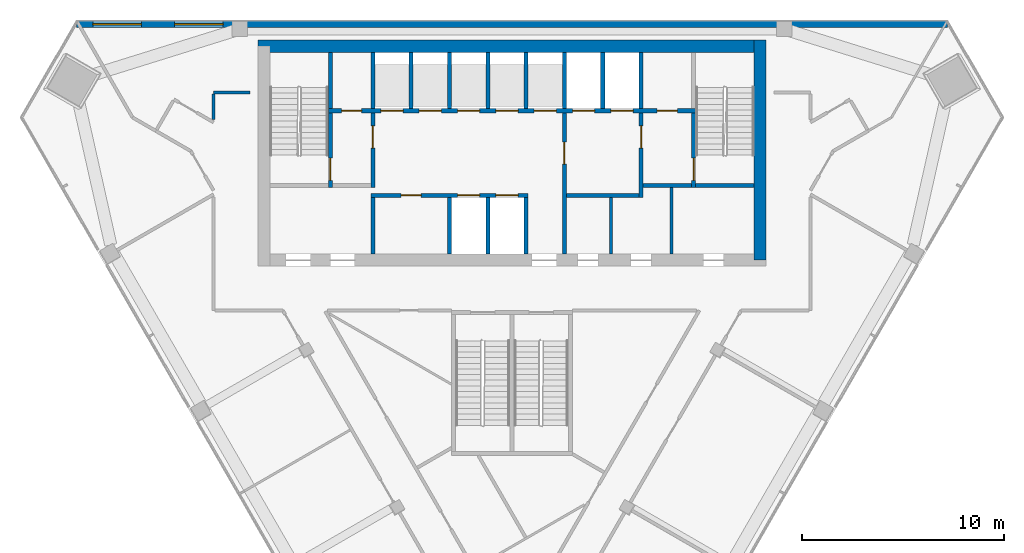
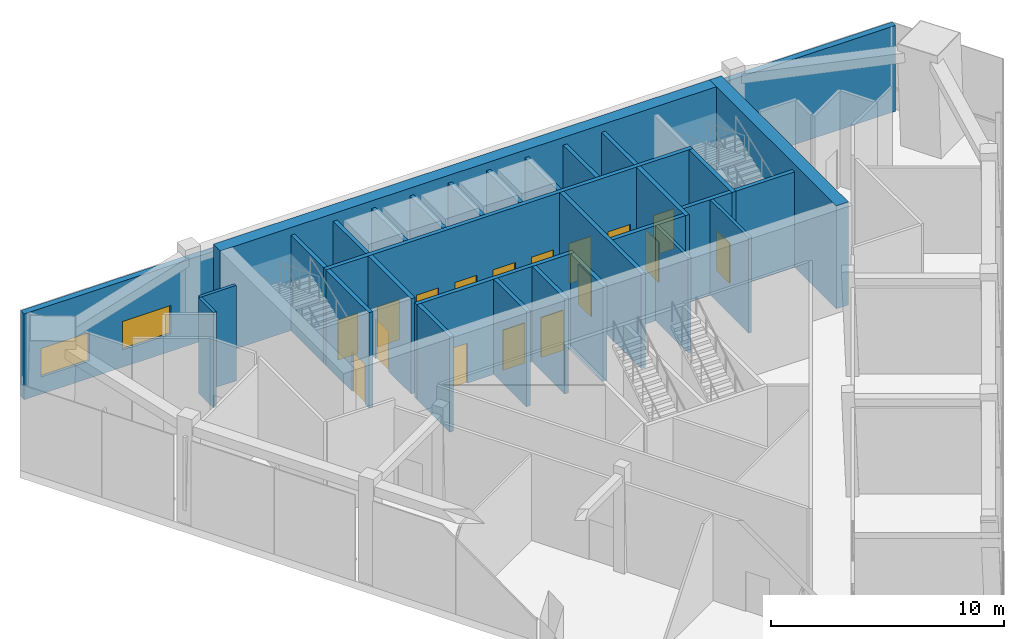
# One storey, part 7 of 10: 30 walls, 17 doors, 2 windows, 19 openings.
"""IFC4 building model written with IfcOpenShell, lengths in metres."""

from ifc_helpers import new_model, si_unit, direction, frame, frame_2d, origin, place, context, subcontext, project, spatial, rectangle, extrude, material, layer, layer_set, type_object, element, fill, save


model = new_model("IFC4")

# Units and contexts
model_context = context("Model", 3, precision=1e-05, world=origin(), true_north=direction((0.0, 1.0)))
body_context = subcontext(model_context, "Body", "Model", "MODEL_VIEW")
ifc_project = project(units=[si_unit("LENGTHUNIT", "METRE"), si_unit("AREAUNIT", "SQUARE_METRE"), si_unit("VOLUMEUNIT", "CUBIC_METRE"), si_unit("PLANEANGLEUNIT", "RADIAN"), si_unit("MASSUNIT", "GRAM", prefix="KILO")], contexts=[model_context])

# Site, building, storey
site_placement = place(None, origin())
site = spatial("IfcSite", under=ifc_project, at=site_placement, CompositionType="ELEMENT")
building_placement = place(site_placement, origin())
building = spatial("IfcBuilding", under=site, at=building_placement, Name="Altiplano Prism Tower", CompositionType="ELEMENT")
storey_placement = place(building_placement, frame((0.0, 0.0, 233.800048828125)))
storey = spatial("IfcBuildingStorey", under=building, at=storey_placement, Name="L60", CompositionType="ELEMENT", Elevation=233.800048828125)

# Walls
ifc_material_1 = material(Name="Concrete C60/75", Category="concrete")
ifc_layer_1 = layer(ifc_material_1, 0.60009765625)
ifc_layer_set_1 = layer_set([ifc_layer_1], Name="Concrete C60/75")
wall_type_1 = type_object("IfcWallType", Name="Core wall 600", PredefinedType="SHEAR", material=ifc_layer_set_1)
wall_1_placement = place(storey_placement, frame((97.300048828125, 93.10009765625, 0.0), z_axis=(0.0, 0.0, 1.0), x_axis=(0.0, 1.0, 0.0)))
element("IfcWall", 1, at=wall_1_placement, inside=storey, type_object=wall_type_1, Name="Core wall E L60", PredefinedType="SHEAR", context=body_context, shape_type="SweptSolid", body=[
    extrude(rectangle(XDim=10.89990234375, YDim=0.60009765625, at=frame_2d((5.449951171875, 0.0))), origin(), (0.0, 0.0, 1.0), 5.39990234375),
])
wall_2_placement = place(storey_placement, frame((97.300048828125, 103.699951171875, 0.0), z_axis=(0.0, 0.0, 1.0), x_axis=(-1.0, 0.0, 0.0)))
element("IfcWall", 2, at=wall_2_placement, inside=storey, type_object=wall_type_1, Name="Core wall N L60", PredefinedType="SHEAR", context=body_context, shape_type="SweptSolid", body=[
    extrude(rectangle(XDim=24.900146484375, YDim=0.60009765625, at=frame_2d((12.4501953125, 0.0))), origin(), (0.0, 0.0, 1.0), 5.39990234375),
])
ifc_material_2 = material(Name="Plasterboard on steel stud", Category="steel")
ifc_layer_2 = layer(ifc_material_2, 0.14990234375)
ifc_layer_set_2 = layer_set([ifc_layer_2], Name="Plasterboard on steel stud")
wall_type_2 = type_object("IfcWallType", Name="Partition 150 corridor", PredefinedType="PARTITIONING", material=ifc_layer_set_2)
wall_3_placement = place(storey_placement, frame((72.0, 101.39990234375, 0.0), z_axis=(0.0, 0.0, 1.0), x_axis=(-1.0, 0.0, 0.0)))
element("IfcWall", 3, at=wall_3_placement, inside=storey, type_object=wall_type_2, Name="Partition P06 L60 012", PredefinedType="PARTITIONING", context=body_context, shape_type="SweptSolid", body=[
    extrude(rectangle(XDim=1.800048828125, YDim=0.14990234375, at=frame_2d((0.89990234375, 0.0))), origin(), (0.0, 0.0, 1.0), 5.0),
])
wall_4_placement = place(storey_placement, frame((70.199951171875, 101.324951171875, 0.0), z_axis=(0.0, 0.0, 1.0), x_axis=(0.0, -1.0, 0.0)))
element("IfcWall", 4, at=wall_4_placement, inside=storey, type_object=wall_type_2, Name="Partition P06 L60 013", PredefinedType="PARTITIONING", context=body_context, shape_type="SweptSolid", body=[
    extrude(rectangle(XDim=1.26611328125, YDim=0.14990234375, at=frame_2d((0.633056640625, 0.0))), origin(), (0.0, 0.0, 1.0), 5.0),
])
ifc_material_3 = material(Name="Fire-rated gypsum board partition")
ifc_layer_3 = layer(ifc_material_3, 0.14990234375)
ifc_layer_set_3 = layer_set([ifc_layer_3], Name="Fire-rated gypsum board partition")
wall_type_3 = type_object("IfcWallType", Name="Room partition 150", PredefinedType="PARTITIONING", material=ifc_layer_set_3)
wall_5_placement = place(storey_placement, frame((89.89990234375, 93.39990234375, 0.0), z_axis=(0.0, 0.0, 1.0), x_axis=(0.0, 1.0, 0.0)))
element("IfcWall", 5, at=wall_5_placement, inside=storey, type_object=wall_type_3, Name="Room partition L60", PredefinedType="PARTITIONING", context=body_context, shape_type="SweptSolid", body=[
    extrude(rectangle(XDim=2.800048828125, YDim=0.14990234375, at=frame_2d((1.39990234375, 0.0))), origin(), (0.0, 0.0, 1.0), 5.0),
])
wall_6_placement = place(storey_placement, frame((92.89990234375, 93.39990234375, 0.0), z_axis=(0.0, 0.0, 1.0), x_axis=(0.0, 1.0, 0.0)))
element("IfcWall", 6, at=wall_6_placement, inside=storey, type_object=wall_type_3, Name="Room partition L60", PredefinedType="PARTITIONING", context=body_context, shape_type="SweptSolid", body=[
    extrude(rectangle(XDim=3.300048828125, YDim=0.14990234375, at=frame_2d((1.64990234375, 0.0))), origin(), (0.0, 0.0, 1.0), 5.0),
])
ifc_layer_4 = layer(ifc_material_1, 0.199951171875)
ifc_layer_set_4 = layer_set([ifc_layer_4], Name="Concrete C60/75")
wall_type_4 = type_object("IfcWallType", Name="Shaft wall 200", PredefinedType="SOLIDWALL", material=ifc_layer_set_4)
for number, where, z_axis, x_axis, name in (
    (7, (81.89990234375, 93.39990234375, 0.0), (0.0, 0.0, 1.0), (0.0, 1.0, 0.0), "Shaft wall L60"),
    (8, (83.800048828125, 93.39990234375, 0.0), (0.0, 0.0, 1.0), (0.0, 1.0, 0.0), "Shaft wall L60"),
    (9, (85.699951171875, 93.39990234375, 0.0), (0.0, 0.0, 1.0), (0.0, 1.0, 0.0), "Shaft wall L60"),
):
    element("IfcWall", number, at=place(storey_placement, frame(where, z_axis=z_axis, x_axis=x_axis)), inside=storey, type_object=wall_type_4, Name=name, PredefinedType="SOLIDWALL", context=body_context, shape_type="SweptSolid", body=[
        extrude(rectangle(XDim=2.800048828125, YDim=0.199951171875, at=frame_2d((1.39990234375, 0.0))), origin(), (0.0, 0.0, 1.0), 5.0),
    ])

# Wall, openings, doors
wall_7_placement = place(storey_placement, frame((78.0, 96.300048828125, 0.0), z_axis=(0.0, 0.0, 1.0), x_axis=(1.0, 0.0, 0.0)))
wall_7 = element("IfcWall", 10, at=wall_7_placement, inside=storey, type_object=wall_type_4, Name="Shaft wall L60", PredefinedType="SOLIDWALL", context=body_context, shape_type="SweptSolid", body=[
    extrude(rectangle(XDim=7.800048828125, YDim=0.199951171875, at=frame_2d((3.89990234375, 0.0))), origin(), (0.0, 0.0, 1.0), 5.0),
])
opening_1_placement = place(wall_7_placement, frame((4.300048828125, 0.0, 0.0)))
opening_1 = element("IfcOpeningElement", 11, at=opening_1_placement, cuts=wall_7, Name="Opening LD-SH3-L60", PredefinedType="OPENING", context=body_context, shape_type="SweptSolid", body=[
    extrude(rectangle(XDim=1.10009765625, YDim=2.10009765625, at=frame_2d((0.550048828125, 1.050048828125))), frame((0.0, 0.1103515625, 0.0), z_axis=(0.0, -1.0, 0.0), x_axis=(1.0, 0.0, 0.0)), (0.0, 0.0, 1.0), 0.220947265625),
])
opening_2_placement = place(wall_7_placement, frame((6.199951171875, 0.0, 0.0)))
opening_2 = element("IfcOpeningElement", 12, at=opening_2_placement, cuts=wall_7, Name="Opening LD-SH4-L60", PredefinedType="OPENING", context=body_context, shape_type="SweptSolid", body=[
    extrude(rectangle(XDim=1.10009765625, YDim=2.10009765625, at=frame_2d((0.550048828125, 1.050048828125))), frame((0.0, 0.1103515625, 0.0), z_axis=(0.0, -1.0, 0.0), x_axis=(1.0, 0.0, 0.0)), (0.0, 0.0, 1.0), 0.220947265625),
])
opening_3_placement = place(wall_7_placement, frame((1.5, 0.0, 0.0)))
opening_3 = element("IfcOpeningElement", 13, at=opening_3_placement, cuts=wall_7, Name="Opening D3427", PredefinedType="OPENING", context=body_context, shape_type="SweptSolid", body=[
    extrude(rectangle(XDim=1.0, YDim=2.10009765625, at=frame_2d((0.5, 1.050048828125))), frame((0.0, 0.1103515625, 0.0), z_axis=(0.0, -1.0, 0.0), x_axis=(1.0, 0.0, 0.0)), (0.0, 0.0, 1.0), 0.220947265625),
])
ifc_material_4 = material(Name="Fire-rated steel door", Category="steel")
door_type_1 = type_object("IfcDoorType", Name="Core room door 1000 x 2100", OperationType="NOTDEFINED", PredefinedType="NOTDEFINED", material=ifc_material_4)
door_1_placement = place(opening_3_placement, origin())
door_1 = element("IfcDoor", 14, at=door_1_placement, inside=storey, type_object=door_type_1, Name="Core room door D3427", OperationType="SINGLE_SWING_RIGHT", OverallHeight=2.10009765625, OverallWidth=1.0, PredefinedType="NOTDEFINED", context=body_context, shape_type="SweptSolid", body=[
    extrude(rectangle(XDim=1.0, YDim=2.10009765625, at=frame_2d((0.5, 1.050048828125))), frame((0.0, 0.02490234375, 0.0), z_axis=(0.0, -1.0, 0.0), x_axis=(1.0, 0.0, 0.0)), (0.0, 0.0, 1.0), 0.050048828125),
])
fill(opening_3, door_1)
ifc_material_5 = material(Name="Stainless steel landing door", Category="steel")
door_type_2 = type_object("IfcDoorType", Name="Landing door 1100 x 2100", OperationType="NOTDEFINED", PredefinedType="NOTDEFINED", material=ifc_material_5)
door_2_placement = place(opening_1_placement, origin())
door_2 = element("IfcDoor", 15, at=door_2_placement, inside=storey, type_object=door_type_2, Name="Landing doors SH3", OperationType="SLIDING_TO_RIGHT", OverallHeight=2.10009765625, OverallWidth=1.10009765625, PredefinedType="NOTDEFINED", context=body_context, shape_type="SweptSolid", body=[
    extrude(rectangle(XDim=1.10009765625, YDim=2.10009765625, at=frame_2d((0.550048828125, 1.050048828125))), frame((0.0, 0.02490234375, 0.0), z_axis=(0.0, -1.0, 0.0), x_axis=(1.0, 0.0, 0.0)), (0.0, 0.0, 1.0), 0.050048828125),
])
fill(opening_1, door_2)
door_3_placement = place(opening_2_placement, origin())
door_3 = element("IfcDoor", 16, at=door_3_placement, inside=storey, type_object=door_type_2, Name="Landing doors SH4", OperationType="SLIDING_TO_LEFT", OverallHeight=2.10009765625, OverallWidth=1.10009765625, PredefinedType="NOTDEFINED", context=body_context, shape_type="SweptSolid", body=[
    extrude(rectangle(XDim=1.10009765625, YDim=2.10009765625, at=frame_2d((0.550048828125, 1.050048828125))), frame((0.0, 0.02490234375, 0.0), z_axis=(0.0, -1.0, 0.0), x_axis=(1.0, 0.0, 0.0)), (0.0, 0.0, 1.0), 0.050048828125),
])
fill(opening_2, door_3)

# Walls
for number, where, z_axis, x_axis, name in (
    (17, (78.10009765625, 100.60009765625, 0.0), (0.0, 0.0, 1.0), (0.0, 1.0, 0.0), "Shaft wall L60"),
    (18, (80.0, 100.60009765625, 0.0), (0.0, 0.0, 1.0), (0.0, 1.0, 0.0), "Shaft wall L60"),
    (19, (81.89990234375, 100.60009765625, 0.0), (0.0, 0.0, 1.0), (0.0, 1.0, 0.0), "Shaft wall L60"),
    (20, (83.800048828125, 100.60009765625, 0.0), (0.0, 0.0, 1.0), (0.0, 1.0, 0.0), "Shaft wall L60"),
    (21, (85.699951171875, 100.60009765625, 0.0), (0.0, 0.0, 1.0), (0.0, 1.0, 0.0), "Shaft wall L60"),
    (22, (87.60009765625, 100.60009765625, 0.0), (0.0, 0.0, 1.0), (0.0, 1.0, 0.0), "Shaft wall L60"),
    (23, (89.5, 100.60009765625, 0.0), (0.0, 0.0, 1.0), (0.0, 1.0, 0.0), "Shaft wall L60"),
    (24, (91.39990234375, 100.60009765625, 0.0), (0.0, 0.0, 1.0), (0.0, 1.0, 0.0), "Shaft wall L60"),
):
    element("IfcWall", number, at=place(storey_placement, frame(where, z_axis=z_axis, x_axis=x_axis)), inside=storey, type_object=wall_type_4, Name=name, PredefinedType="SOLIDWALL", context=body_context, shape_type="SweptSolid", body=[
        extrude(rectangle(XDim=2.7998046875, YDim=0.199951171875, at=frame_2d((1.39990234375, 0.0))), origin(), (0.0, 0.0, 1.0), 5.0),
    ])

# Wall, opening, door
ifc_layer_5 = layer(ifc_material_1, 0.199951171875)
ifc_layer_set_5 = layer_set([ifc_layer_5], Name="Concrete C60/75")
wall_type_5 = type_object("IfcWallType", Name="Stair wall 200", PredefinedType="SOLIDWALL", material=ifc_layer_set_5)
wall_8_placement = place(storey_placement, frame((76.0, 96.699951171875, 0.0), z_axis=(0.0, 0.0, 1.0), x_axis=(0.0, 1.0, 0.0)))
wall_8 = element("IfcWall", 25, at=wall_8_placement, inside=storey, type_object=wall_type_5, Name="Stair wall L60", PredefinedType="SOLIDWALL", context=body_context, shape_type="SweptSolid", body=[
    extrude(rectangle(XDim=3.699951171875, YDim=0.199951171875, at=frame_2d((1.85009765625, 0.0))), origin(), (0.0, 0.0, 1.0), 5.0),
])
opening_4_placement = place(wall_8_placement, frame((0.35009765625, 0.0, 0.0)))
opening_4 = element("IfcOpeningElement", 26, at=opening_4_placement, cuts=wall_8, Name="Opening D3414", PredefinedType="OPENING", context=body_context, shape_type="SweptSolid", body=[
    extrude(rectangle(XDim=1.10009765625, YDim=2.10009765625, at=frame_2d((0.550048828125, 1.050048828125))), frame((0.0, 0.1103515625, 0.0), z_axis=(0.0, -1.0, 0.0), x_axis=(1.0, 0.0, 0.0)), (0.0, 0.0, 1.0), 0.220947265625),
])
door_type_3 = type_object("IfcDoorType", Name="Stair fire door 1100 x 2100", OperationType="NOTDEFINED", PredefinedType="NOTDEFINED", material=ifc_material_4)
door_4_placement = place(opening_4_placement, origin())
door_4 = element("IfcDoor", 27, at=door_4_placement, inside=storey, type_object=door_type_3, Name="Stair fire door D3414", OperationType="SINGLE_SWING_RIGHT", OverallHeight=2.10009765625, OverallWidth=1.10009765625, PredefinedType="NOTDEFINED", context=body_context, shape_type="SweptSolid", body=[
    extrude(rectangle(XDim=1.10009765625, YDim=2.10009765625, at=frame_2d((0.550048828125, 1.050048828125))), frame((0.0, 0.02490234375, 0.0), z_axis=(0.0, -1.0, 0.0), x_axis=(1.0, 0.0, 0.0)), (0.0, 0.0, 1.0), 0.050048828125),
])
fill(opening_4, door_4)

wall_9_placement = place(storey_placement, frame((94.0, 96.699951171875, 0.0), z_axis=(0.0, 0.0, 1.0), x_axis=(0.0, 1.0, 0.0)))
wall_9 = element("IfcWall", 28, at=wall_9_placement, inside=storey, type_object=wall_type_5, Name="Stair wall L60", PredefinedType="SOLIDWALL", context=body_context, shape_type="SweptSolid", body=[
    extrude(rectangle(XDim=3.699951171875, YDim=0.199951171875, at=frame_2d((1.85009765625, 0.0))), origin(), (0.0, 0.0, 1.0), 5.0),
])
opening_5_placement = place(wall_9_placement, frame((0.35009765625, 0.0, 0.0)))
opening_5 = element("IfcOpeningElement", 29, at=opening_5_placement, cuts=wall_9, Name="Opening D3415", PredefinedType="OPENING", context=body_context, shape_type="SweptSolid", body=[
    extrude(rectangle(XDim=1.10009765625, YDim=2.10009765625, at=frame_2d((0.550048828125, 1.050048828125))), frame((0.0, 0.1103515625, 0.0), z_axis=(0.0, -1.0, 0.0), x_axis=(1.0, 0.0, 0.0)), (0.0, 0.0, 1.0), 0.220947265625),
])
door_5_placement = place(opening_5_placement, origin())
door_5 = element("IfcDoor", 30, at=door_5_placement, inside=storey, type_object=door_type_3, Name="Stair fire door D3415", OperationType="SINGLE_SWING_LEFT", OverallHeight=2.10009765625, OverallWidth=1.10009765625, PredefinedType="NOTDEFINED", context=body_context, shape_type="SweptSolid", body=[
    extrude(rectangle(XDim=1.10009765625, YDim=2.10009765625, at=frame_2d((0.550048828125, 1.050048828125))), frame((0.0, 0.02490234375, 0.0), z_axis=(0.0, -1.0, 0.0), x_axis=(1.0, 0.0, 0.0)), (0.0, 0.0, 1.0), 0.050048828125),
])
fill(opening_5, door_5)

# Wall
wall_10_placement = place(storey_placement, frame((94.10009765625, 96.800048828125, 0.0), z_axis=(0.0, 0.0, 1.0), x_axis=(1.0, 0.0, 0.0)))
element("IfcWall", 31, at=wall_10_placement, inside=storey, type_object=wall_type_5, Name="Stair wall L60", PredefinedType="SOLIDWALL", context=body_context, shape_type="SweptSolid", body=[
    extrude(rectangle(XDim=2.89990234375, YDim=0.199951171875, at=frame_2d((1.449951171875, 0.0))), origin(), (0.0, 0.0, 1.0), 5.0),
])

# Wall, openings, doors
wall_11_placement = place(storey_placement, frame((75.89990234375, 100.5, 0.0), z_axis=(0.0, 0.0, 1.0), x_axis=(1.0, 0.0, 0.0)))
wall_11 = element("IfcWall", 32, at=wall_11_placement, inside=storey, type_object=wall_type_5, Name="Stair wall L60", PredefinedType="SOLIDWALL", context=body_context, shape_type="SweptSolid", body=[
    extrude(rectangle(XDim=18.2001953125, YDim=0.199951171875, at=frame_2d((9.10009765625, 0.0))), origin(), (0.0, 0.0, 1.0), 5.0),
])
opening_6_placement = place(wall_11_placement, frame((2.60009765625, 0.0, 0.0)))
opening_6 = element("IfcOpeningElement", 33, at=opening_6_placement, cuts=wall_11, Name="Opening LD-HL1-L60", PredefinedType="OPENING", context=body_context, shape_type="SweptSolid", body=[
    extrude(rectangle(XDim=1.10009765625, YDim=2.10009765625, at=frame_2d((0.550048828125, 1.050048828125))), frame((0.0, 0.1103515625, 0.0), z_axis=(0.0, -1.0, 0.0), x_axis=(1.0, 0.0, 0.0)), (0.0, 0.0, 1.0), 0.220947265625),
])
opening_7_placement = place(wall_11_placement, frame((4.5, 0.0, 0.0)))
opening_7 = element("IfcOpeningElement", 34, at=opening_7_placement, cuts=wall_11, Name="Opening LD-HL2-L60", PredefinedType="OPENING", context=body_context, shape_type="SweptSolid", body=[
    extrude(rectangle(XDim=1.10009765625, YDim=2.10009765625, at=frame_2d((0.550048828125, 1.050048828125))), frame((0.0, 0.1103515625, 0.0), z_axis=(0.0, -1.0, 0.0), x_axis=(1.0, 0.0, 0.0)), (0.0, 0.0, 1.0), 0.220947265625),
])
opening_8_placement = place(wall_11_placement, frame((6.39990234375, 0.0, 0.0)))
opening_8 = element("IfcOpeningElement", 35, at=opening_8_placement, cuts=wall_11, Name="Opening LD-HL3-L60", PredefinedType="OPENING", context=body_context, shape_type="SweptSolid", body=[
    extrude(rectangle(XDim=1.10009765625, YDim=2.10009765625, at=frame_2d((0.550048828125, 1.050048828125))), frame((0.0, 0.1103515625, 0.0), z_axis=(0.0, -1.0, 0.0), x_axis=(1.0, 0.0, 0.0)), (0.0, 0.0, 1.0), 0.220947265625),
])
opening_9_placement = place(wall_11_placement, frame((8.300048828125, 0.0, 0.0)))
opening_9 = element("IfcOpeningElement", 36, at=opening_9_placement, cuts=wall_11, Name="Opening LD-HL4-L60", PredefinedType="OPENING", context=body_context, shape_type="SweptSolid", body=[
    extrude(rectangle(XDim=1.10009765625, YDim=2.10009765625, at=frame_2d((0.550048828125, 1.050048828125))), frame((0.0, 0.1103515625, 0.0), z_axis=(0.0, -1.0, 0.0), x_axis=(1.0, 0.0, 0.0)), (0.0, 0.0, 1.0), 0.220947265625),
])
opening_10_placement = place(wall_11_placement, frame((10.199951171875, 0.0, 0.0)))
opening_10 = element("IfcOpeningElement", 37, at=opening_10_placement, cuts=wall_11, Name="Opening LD-HL5-L60", PredefinedType="OPENING", context=body_context, shape_type="SweptSolid", body=[
    extrude(rectangle(XDim=1.10009765625, YDim=2.10009765625, at=frame_2d((0.550048828125, 1.050048828125))), frame((0.0, 0.1103515625, 0.0), z_axis=(0.0, -1.0, 0.0), x_axis=(1.0, 0.0, 0.0)), (0.0, 0.0, 1.0), 0.220947265625),
])
opening_11_placement = place(wall_11_placement, frame((12.10009765625, 0.0, 0.0)))
opening_11 = element("IfcOpeningElement", 38, at=opening_11_placement, cuts=wall_11, Name="Opening LD-FF1-L60", PredefinedType="OPENING", context=body_context, shape_type="SweptSolid", body=[
    extrude(rectangle(XDim=1.10009765625, YDim=2.10009765625, at=frame_2d((0.550048828125, 1.050048828125))), frame((0.0, 0.1103515625, 0.0), z_axis=(0.0, -1.0, 0.0), x_axis=(1.0, 0.0, 0.0)), (0.0, 0.0, 1.0), 0.220947265625),
])
opening_12_placement = place(wall_11_placement, frame((14.0, 0.0, 0.0)))
opening_12 = element("IfcOpeningElement", 39, at=opening_12_placement, cuts=wall_11, Name="Opening LD-FF2-L60", PredefinedType="OPENING", context=body_context, shape_type="SweptSolid", body=[
    extrude(rectangle(XDim=1.10009765625, YDim=2.10009765625, at=frame_2d((0.550048828125, 1.050048828125))), frame((0.0, 0.1103515625, 0.0), z_axis=(0.0, -1.0, 0.0), x_axis=(1.0, 0.0, 0.0)), (0.0, 0.0, 1.0), 0.220947265625),
])
opening_13_placement = place(wall_11_placement, frame((0.64990234375, 0.0, 0.0)))
opening_13 = element("IfcOpeningElement", 40, at=opening_13_placement, cuts=wall_11, Name="Opening D3422", PredefinedType="OPENING", context=body_context, shape_type="SweptSolid", body=[
    extrude(rectangle(XDim=1.0, YDim=2.10009765625, at=frame_2d((0.5, 1.050048828125))), frame((0.0, 0.1103515625, 0.0), z_axis=(0.0, -1.0, 0.0), x_axis=(1.0, 0.0, 0.0)), (0.0, 0.0, 1.0), 0.220947265625),
])
opening_14_placement = place(wall_11_placement, frame((16.300048828125, 0.0, 0.0)))
opening_14 = element("IfcOpeningElement", 41, at=opening_14_placement, cuts=wall_11, Name="Opening D3423", PredefinedType="OPENING", context=body_context, shape_type="SweptSolid", body=[
    extrude(rectangle(XDim=1.0, YDim=2.10009765625, at=frame_2d((0.5, 1.050048828125))), frame((0.0, 0.1103515625, 0.0), z_axis=(0.0, -1.0, 0.0), x_axis=(1.0, 0.0, 0.0)), (0.0, 0.0, 1.0), 0.220947265625),
])
door_6_placement = place(opening_13_placement, origin())
door_6 = element("IfcDoor", 42, at=door_6_placement, inside=storey, type_object=door_type_1, Name="Core room door D3422", OperationType="SINGLE_SWING_LEFT", OverallHeight=2.10009765625, OverallWidth=1.0, PredefinedType="NOTDEFINED", context=body_context, shape_type="SweptSolid", body=[
    extrude(rectangle(XDim=1.0, YDim=2.10009765625, at=frame_2d((0.5, 1.050048828125))), frame((0.0, 0.02490234375, 0.0), z_axis=(0.0, -1.0, 0.0), x_axis=(1.0, 0.0, 0.0)), (0.0, 0.0, 1.0), 0.050048828125),
])
fill(opening_13, door_6)
door_7_placement = place(opening_14_placement, origin())
door_7 = element("IfcDoor", 43, at=door_7_placement, inside=storey, type_object=door_type_1, Name="Core room door D3423", OperationType="SINGLE_SWING_RIGHT", OverallHeight=2.10009765625, OverallWidth=1.0, PredefinedType="NOTDEFINED", context=body_context, shape_type="SweptSolid", body=[
    extrude(rectangle(XDim=1.0, YDim=2.10009765625, at=frame_2d((0.5, 1.050048828125))), frame((0.0, 0.02490234375, 0.0), z_axis=(0.0, -1.0, 0.0), x_axis=(1.0, 0.0, 0.0)), (0.0, 0.0, 1.0), 0.050048828125),
])
fill(opening_14, door_7)
door_8_placement = place(opening_6_placement, origin())
door_8 = element("IfcDoor", 44, at=door_8_placement, inside=storey, type_object=door_type_2, Name="Landing doors HL1", OperationType="SLIDING_TO_RIGHT", OverallHeight=2.10009765625, OverallWidth=1.10009765625, PredefinedType="NOTDEFINED", context=body_context, shape_type="SweptSolid", body=[
    extrude(rectangle(XDim=1.10009765625, YDim=2.10009765625, at=frame_2d((0.550048828125, 1.050048828125))), frame((0.0, 0.02490234375, 0.0), z_axis=(0.0, -1.0, 0.0), x_axis=(1.0, 0.0, 0.0)), (0.0, 0.0, 1.0), 0.050048828125),
])
fill(opening_6, door_8)
door_9_placement = place(opening_7_placement, origin())
door_9 = element("IfcDoor", 45, at=door_9_placement, inside=storey, type_object=door_type_2, Name="Landing doors HL2", OperationType="SLIDING_TO_LEFT", OverallHeight=2.10009765625, OverallWidth=1.10009765625, PredefinedType="NOTDEFINED", context=body_context, shape_type="SweptSolid", body=[
    extrude(rectangle(XDim=1.10009765625, YDim=2.10009765625, at=frame_2d((0.550048828125, 1.050048828125))), frame((0.0, 0.02490234375, 0.0), z_axis=(0.0, -1.0, 0.0), x_axis=(1.0, 0.0, 0.0)), (0.0, 0.0, 1.0), 0.050048828125),
])
fill(opening_7, door_9)
door_10_placement = place(opening_8_placement, origin())
door_10 = element("IfcDoor", 46, at=door_10_placement, inside=storey, type_object=door_type_2, Name="Landing doors HL3", OperationType="SLIDING_TO_RIGHT", OverallHeight=2.10009765625, OverallWidth=1.10009765625, PredefinedType="NOTDEFINED", context=body_context, shape_type="SweptSolid", body=[
    extrude(rectangle(XDim=1.10009765625, YDim=2.10009765625, at=frame_2d((0.550048828125, 1.050048828125))), frame((0.0, 0.02490234375, 0.0), z_axis=(0.0, -1.0, 0.0), x_axis=(1.0, 0.0, 0.0)), (0.0, 0.0, 1.0), 0.050048828125),
])
fill(opening_8, door_10)
door_11_placement = place(opening_9_placement, origin())
door_11 = element("IfcDoor", 47, at=door_11_placement, inside=storey, type_object=door_type_2, Name="Landing doors HL4", OperationType="SLIDING_TO_LEFT", OverallHeight=2.10009765625, OverallWidth=1.10009765625, PredefinedType="NOTDEFINED", context=body_context, shape_type="SweptSolid", body=[
    extrude(rectangle(XDim=1.10009765625, YDim=2.10009765625, at=frame_2d((0.550048828125, 1.050048828125))), frame((0.0, 0.02490234375, 0.0), z_axis=(0.0, -1.0, 0.0), x_axis=(1.0, 0.0, 0.0)), (0.0, 0.0, 1.0), 0.050048828125),
])
fill(opening_9, door_11)
door_12_placement = place(opening_10_placement, origin())
door_12 = element("IfcDoor", 48, at=door_12_placement, inside=storey, type_object=door_type_2, Name="Landing doors HL5", OperationType="SLIDING_TO_RIGHT", OverallHeight=2.10009765625, OverallWidth=1.10009765625, PredefinedType="NOTDEFINED", context=body_context, shape_type="SweptSolid", body=[
    extrude(rectangle(XDim=1.10009765625, YDim=2.10009765625, at=frame_2d((0.550048828125, 1.050048828125))), frame((0.0, 0.02490234375, 0.0), z_axis=(0.0, -1.0, 0.0), x_axis=(1.0, 0.0, 0.0)), (0.0, 0.0, 1.0), 0.050048828125),
])
fill(opening_10, door_12)
door_13_placement = place(opening_11_placement, origin())
door_13 = element("IfcDoor", 49, at=door_13_placement, inside=storey, type_object=door_type_2, Name="Landing doors FF1", OperationType="SLIDING_TO_RIGHT", OverallHeight=2.10009765625, OverallWidth=1.10009765625, PredefinedType="NOTDEFINED", context=body_context, shape_type="SweptSolid", body=[
    extrude(rectangle(XDim=1.10009765625, YDim=2.10009765625, at=frame_2d((0.550048828125, 1.050048828125))), frame((0.0, 0.02490234375, 0.0), z_axis=(0.0, -1.0, 0.0), x_axis=(1.0, 0.0, 0.0)), (0.0, 0.0, 1.0), 0.050048828125),
])
fill(opening_11, door_13)
door_14_placement = place(opening_12_placement, origin())
door_14 = element("IfcDoor", 50, at=door_14_placement, inside=storey, type_object=door_type_2, Name="Landing doors FF2", OperationType="SLIDING_TO_LEFT", OverallHeight=2.10009765625, OverallWidth=1.10009765625, PredefinedType="NOTDEFINED", context=body_context, shape_type="SweptSolid", body=[
    extrude(rectangle(XDim=1.10009765625, YDim=2.10009765625, at=frame_2d((0.550048828125, 1.050048828125))), frame((0.0, 0.02490234375, 0.0), z_axis=(0.0, -1.0, 0.0), x_axis=(1.0, 0.0, 0.0)), (0.0, 0.0, 1.0), 0.050048828125),
])
fill(opening_12, door_14)

# Wall
wall_12_placement = place(storey_placement, frame((76.0, 100.60009765625, 0.0), z_axis=(0.0, 0.0, 1.0), x_axis=(0.0, 1.0, 0.0)))
element("IfcWall", 51, at=wall_12_placement, inside=storey, type_object=wall_type_5, Name="Stair wall L60", PredefinedType="SOLIDWALL", context=body_context, shape_type="SweptSolid", body=[
    extrude(rectangle(XDim=2.7998046875, YDim=0.199951171875, at=frame_2d((1.39990234375, 0.0))), origin(), (0.0, 0.0, 1.0), 5.0),
])

# Wall, openings, windows
ifc_material_6 = material(Name="Concrete C40", Category="concrete")
ifc_layer_6 = layer(ifc_material_6, 0.300048828125)
ifc_layer_set_6 = layer_set([ifc_layer_6], Name="Concrete C40")
wall_type_6 = type_object("IfcWallType", Name="Stone-clad external wall 300", PredefinedType="SOLIDWALL", material=ifc_layer_set_6)
wall_13_placement = place(storey_placement, frame((63.395263671875, 104.7900390625, 0.0), z_axis=(0.0, 0.0, 1.0), x_axis=(1.0, 0.0, 0.0)))
wall_13 = element("IfcWall", 52, at=wall_13_placement, inside=storey, type_object=wall_type_6, Name="External wall north face L60", PredefinedType="SOLIDWALL", context=body_context, shape_type="SweptSolid", body=[
    extrude(rectangle(XDim=43.20947265625, YDim=0.300048828125, at=frame_2d((21.604736328125, 0.0))), origin(), (0.0, 0.0, 1.0), 4.5),
])
opening_15_placement = place(wall_13_placement, frame((4.87841796875, 0.0, 0.89990234375)))
opening_15 = element("IfcOpeningElement", 53, at=opening_15_placement, cuts=wall_13, Name="Opening W1", PredefinedType="OPENING", context=body_context, shape_type="SweptSolid", body=[
    extrude(rectangle(XDim=2.39990234375, YDim=1.5, at=frame_2d((1.199951171875, 0.75))), frame((0.0, 0.16064453125, 0.0), z_axis=(0.0, -1.0, 0.0), x_axis=(1.0, 0.0, 0.0)), (0.0, 0.0, 1.0), 0.321044921875),
])
opening_16_placement = place(wall_13_placement, frame((0.826416015625, 0.0, 0.89990234375)))
opening_16 = element("IfcOpeningElement", 54, at=opening_16_placement, cuts=wall_13, Name="Opening W1", PredefinedType="OPENING", context=body_context, shape_type="SweptSolid", body=[
    extrude(rectangle(XDim=2.39990234375, YDim=1.5, at=frame_2d((1.199951171875, 0.75))), frame((0.0, 0.16064453125, 0.0), z_axis=(0.0, -1.0, 0.0), x_axis=(1.0, 0.0, 0.0)), (0.0, 0.0, 1.0), 0.321044921875),
])
ifc_material_7 = material(Name="Glass", Category="glass")
window_type = type_object("IfcWindowType", Name="Window 2400 x 1500", PartitioningType="SINGLE_PANEL", PredefinedType="WINDOW", material=ifc_material_7)
window_1_placement = place(opening_15_placement, origin())
window_1 = element("IfcWindow", 55, at=window_1_placement, inside=storey, type_object=window_type, Name="Window L60", OverallHeight=1.5, OverallWidth=2.39990234375, PartitioningType="SINGLE_PANEL", PredefinedType="WINDOW", context=body_context, shape_type="SweptSolid", body=[
    extrude(rectangle(XDim=2.39990234375, YDim=1.5, at=frame_2d((1.199951171875, 0.75))), frame((0.0, 0.030029296875, 0.0), z_axis=(0.0, -1.0, 0.0), x_axis=(1.0, 0.0, 0.0)), (0.0, 0.0, 1.0), 0.06005859375),
])
fill(opening_15, window_1)
window_2_placement = place(opening_16_placement, origin())
window_2 = element("IfcWindow", 56, at=window_2_placement, inside=storey, type_object=window_type, Name="Window L60", OverallHeight=1.5, OverallWidth=2.39990234375, PartitioningType="SINGLE_PANEL", PredefinedType="WINDOW", context=body_context, shape_type="SweptSolid", body=[
    extrude(rectangle(XDim=2.39990234375, YDim=1.5, at=frame_2d((1.199951171875, 0.75))), frame((0.0, 0.030029296875, 0.0), z_axis=(0.0, -1.0, 0.0), x_axis=(1.0, 0.0, 0.0)), (0.0, 0.0, 1.0), 0.06005859375),
])
fill(opening_16, window_2)

# Wall
ifc_layer_7 = layer(ifc_material_1, 0.199951171875)
ifc_layer_set_7 = layer_set([ifc_layer_7], Name="Concrete C60/75")
wall_type_7 = type_object("IfcWallType", Name="Vestibule wall 200", PredefinedType="PARTITIONING", material=ifc_layer_set_7)
wall_14_placement = place(storey_placement, frame((78.10009765625, 93.39990234375, 0.0), z_axis=(0.0, 0.0, 1.0), x_axis=(0.0, 1.0, 0.0)))
element("IfcWall", 57, at=wall_14_placement, inside=storey, type_object=wall_type_7, Name="Vestibule wall L60", PredefinedType="PARTITIONING", context=body_context, shape_type="SweptSolid", body=[
    extrude(rectangle(XDim=2.800048828125, YDim=0.199951171875, at=frame_2d((1.39990234375, 0.0))), origin(), (0.0, 0.0, 1.0), 5.0),
])

# Wall, opening, door
wall_15_placement = place(storey_placement, frame((87.60009765625, 93.39990234375, 0.0), z_axis=(0.0, 0.0, 1.0), x_axis=(0.0, 1.0, 0.0)))
wall_15 = element("IfcWall", 58, at=wall_15_placement, inside=storey, type_object=wall_type_7, Name="Vestibule wall L60", PredefinedType="PARTITIONING", context=body_context, shape_type="SweptSolid", body=[
    extrude(rectangle(XDim=7.0, YDim=0.199951171875, at=frame_2d((3.5, 0.0))), origin(), (0.0, 0.0, 1.0), 5.0),
])
opening_17_placement = place(wall_15_placement, frame((4.449951171875, 0.0, 0.0)))
opening_17 = element("IfcOpeningElement", 59, at=opening_17_placement, cuts=wall_15, Name="Opening D3417", PredefinedType="OPENING", context=body_context, shape_type="SweptSolid", body=[
    extrude(rectangle(XDim=1.10009765625, YDim=2.10009765625, at=frame_2d((0.550048828125, 1.050048828125))), frame((0.0, 0.1103515625, 0.0), z_axis=(0.0, -1.0, 0.0), x_axis=(1.0, 0.0, 0.0)), (0.0, 0.0, 1.0), 0.220947265625),
])
door_type_4 = type_object("IfcDoorType", Name="Vestibule fire door 1100 x 2100", OperationType="NOTDEFINED", PredefinedType="NOTDEFINED", material=ifc_material_4)
door_15_placement = place(opening_17_placement, origin())
door_15 = element("IfcDoor", 60, at=door_15_placement, inside=storey, type_object=door_type_4, Name="Vestibule fire door D3417", OperationType="SINGLE_SWING_RIGHT", OverallHeight=2.10009765625, OverallWidth=1.10009765625, PredefinedType="NOTDEFINED", context=body_context, shape_type="SweptSolid", body=[
    extrude(rectangle(XDim=1.10009765625, YDim=2.10009765625, at=frame_2d((0.550048828125, 1.050048828125))), frame((0.0, 0.02490234375, 0.0), z_axis=(0.0, -1.0, 0.0), x_axis=(1.0, 0.0, 0.0)), (0.0, 0.0, 1.0), 0.050048828125),
])
fill(opening_17, door_15)

# Wall
wall_16_placement = place(storey_placement, frame((87.699951171875, 96.300048828125, 0.0), z_axis=(0.0, 0.0, 1.0), x_axis=(1.0, 0.0, 0.0)))
element("IfcWall", 61, at=wall_16_placement, inside=storey, type_object=wall_type_7, Name="Vestibule wall L60", PredefinedType="PARTITIONING", context=body_context, shape_type="SweptSolid", body=[
    extrude(rectangle(XDim=3.60009765625, YDim=0.199951171875, at=frame_2d((1.800048828125, 0.0))), origin(), (0.0, 0.0, 1.0), 5.0),
])

# Wall, opening, door
wall_17_placement = place(storey_placement, frame((91.39990234375, 96.199951171875, 0.0), z_axis=(0.0, 0.0, 1.0), x_axis=(0.0, 1.0, 0.0)))
wall_17 = element("IfcWall", 62, at=wall_17_placement, inside=storey, type_object=wall_type_7, Name="Vestibule wall L60", PredefinedType="PARTITIONING", context=body_context, shape_type="SweptSolid", body=[
    extrude(rectangle(XDim=4.199951171875, YDim=0.199951171875, at=frame_2d((2.10009765625, 0.0))), origin(), (0.0, 0.0, 1.0), 5.0),
])
opening_18_placement = place(wall_17_placement, frame((2.449951171875, 0.0, 0.0)))
opening_18 = element("IfcOpeningElement", 63, at=opening_18_placement, cuts=wall_17, Name="Opening D3418", PredefinedType="OPENING", context=body_context, shape_type="SweptSolid", body=[
    extrude(rectangle(XDim=1.10009765625, YDim=2.10009765625, at=frame_2d((0.550048828125, 1.050048828125))), frame((0.0, 0.1103515625, 0.0), z_axis=(0.0, -1.0, 0.0), x_axis=(1.0, 0.0, 0.0)), (0.0, 0.0, 1.0), 0.220947265625),
])
door_16_placement = place(opening_18_placement, origin())
door_16 = element("IfcDoor", 64, at=door_16_placement, inside=storey, type_object=door_type_4, Name="Vestibule fire door D3418", OperationType="SINGLE_SWING_LEFT", OverallHeight=2.10009765625, OverallWidth=1.10009765625, PredefinedType="NOTDEFINED", context=body_context, shape_type="SweptSolid", body=[
    extrude(rectangle(XDim=1.10009765625, YDim=2.10009765625, at=frame_2d((0.550048828125, 1.050048828125))), frame((0.0, 0.02490234375, 0.0), z_axis=(0.0, -1.0, 0.0), x_axis=(1.0, 0.0, 0.0)), (0.0, 0.0, 1.0), 0.050048828125),
])
fill(opening_18, door_16)

wall_18_placement = place(storey_placement, frame((78.10009765625, 96.699951171875, 0.0), z_axis=(0.0, 0.0, 1.0), x_axis=(0.0, 1.0, 0.0)))
wall_18 = element("IfcWall", 65, at=wall_18_placement, inside=storey, type_object=wall_type_7, Name="Vestibule wall L60", PredefinedType="PARTITIONING", context=body_context, shape_type="SweptSolid", body=[
    extrude(rectangle(XDim=3.699951171875, YDim=0.199951171875, at=frame_2d((1.85009765625, 0.0))), origin(), (0.0, 0.0, 1.0), 5.0),
])
opening_19_placement = place(wall_18_placement, frame((1.949951171875, 0.0, 0.0)))
opening_19 = element("IfcOpeningElement", 66, at=opening_19_placement, cuts=wall_18, Name="Opening D3416", PredefinedType="OPENING", context=body_context, shape_type="SweptSolid", body=[
    extrude(rectangle(XDim=1.10009765625, YDim=2.10009765625, at=frame_2d((0.550048828125, 1.050048828125))), frame((0.0, 0.1103515625, 0.0), z_axis=(0.0, -1.0, 0.0), x_axis=(1.0, 0.0, 0.0)), (0.0, 0.0, 1.0), 0.220947265625),
])
door_17_placement = place(opening_19_placement, origin())
door_17 = element("IfcDoor", 67, at=door_17_placement, inside=storey, type_object=door_type_4, Name="Vestibule fire door D3416", OperationType="SINGLE_SWING_LEFT", OverallHeight=2.10009765625, OverallWidth=1.10009765625, PredefinedType="NOTDEFINED", context=body_context, shape_type="SweptSolid", body=[
    extrude(rectangle(XDim=1.10009765625, YDim=2.10009765625, at=frame_2d((0.550048828125, 1.050048828125))), frame((0.0, 0.02490234375, 0.0), z_axis=(0.0, -1.0, 0.0), x_axis=(1.0, 0.0, 0.0)), (0.0, 0.0, 1.0), 0.050048828125),
])
fill(opening_19, door_17)

# Wall
wall_19_placement = place(storey_placement, frame((91.5, 96.800048828125, 0.0), z_axis=(0.0, 0.0, 1.0), x_axis=(1.0, 0.0, 0.0)))
element("IfcWall", 68, at=wall_19_placement, inside=storey, type_object=wall_type_7, Name="Vestibule wall L60", PredefinedType="PARTITIONING", context=body_context, shape_type="SweptSolid", body=[
    extrude(rectangle(XDim=2.39990234375, YDim=0.199951171875, at=frame_2d((1.199951171875, 0.0))), origin(), (0.0, 0.0, 1.0), 5.0),
])

save(model, "model.ifc")
